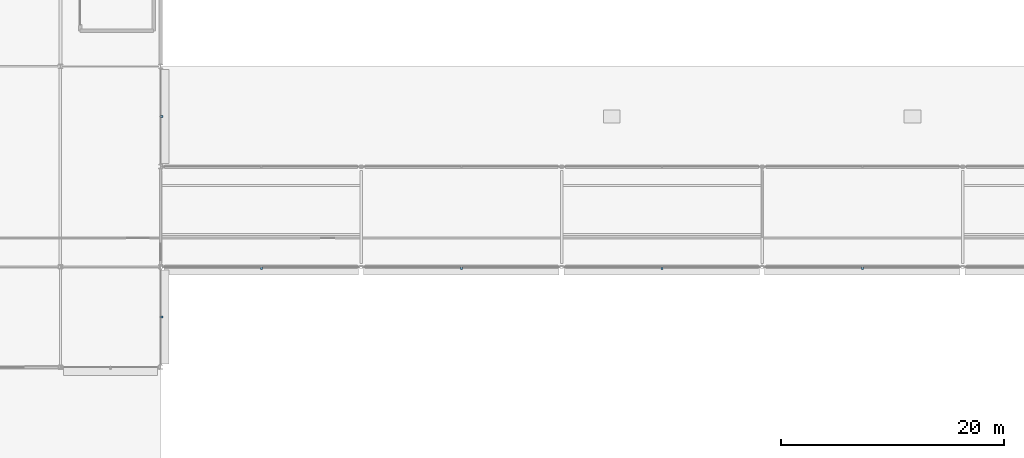
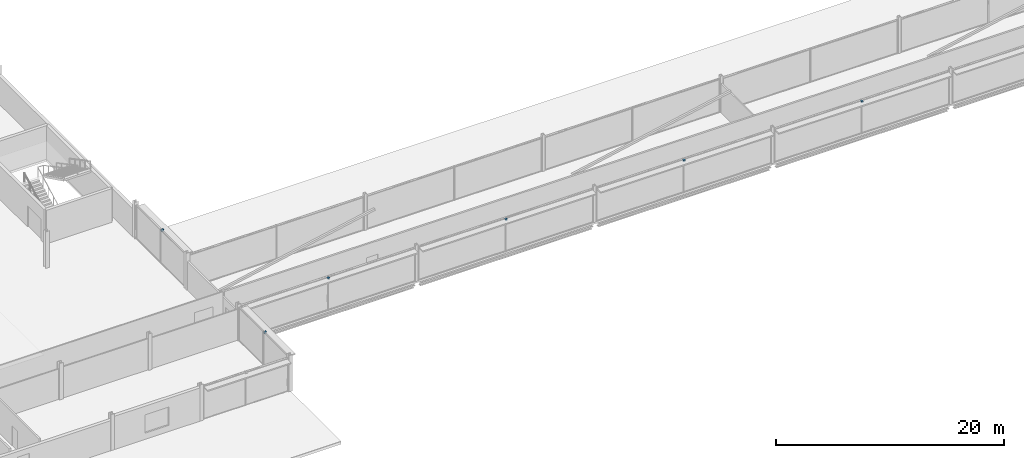
# One storey, part 75 of 105: 6 discrete accessories.
"""IFC4 building model written with IfcOpenShell, lengths in metres."""

from ifc_helpers import new_model, si_unit, direction, frame, origin, origin_2d, place, context, subcontext, project, spatial, rectangle, extrude, material, type_object, element, save


model = new_model("IFC4")

# Units and contexts
model_context = context("Model", 3, precision=1e-05, world=origin(), true_north=direction((0.0, 1.0)))
body_context = subcontext(model_context, "Body", "Model", "MODEL_VIEW")
ifc_project = project(units=[si_unit("LENGTHUNIT", "METRE"), si_unit("AREAUNIT", "SQUARE_METRE"), si_unit("VOLUMEUNIT", "CUBIC_METRE"), si_unit("PLANEANGLEUNIT", "RADIAN"), si_unit("MASSUNIT", "GRAM", prefix="KILO")], contexts=[model_context])

# Site, building, storey
site_placement = place(None, origin())
site = spatial("IfcSite", under=ifc_project, at=site_placement, CompositionType="ELEMENT")
building_placement = place(site_placement, origin())
building = spatial("IfcBuilding", under=site, at=building_placement, Name="Kisiwana Market Hall", CompositionType="ELEMENT")
storey_placement = place(building_placement, frame((0.0, 0.0, 21.60009765625)))
storey = spatial("IfcBuildingStorey", under=building, at=storey_placement, Name="L04", CompositionType="ELEMENT", Elevation=21.60009765625)

# Discrete accessories
ifc_material = material(Name="Steel S355", Category="steel")
discrete_accessory_type = type_object("IfcDiscreteAccessoryType", Name="ACC-BRACKET-STL", PredefinedType="BRACKET", material=ifc_material)
for number, where, z_axis, x_axis, name in (
    (1, (54.03076171875, 17.889892578125, 3.375), (0.0, 0.0, 1.0), (1.0, 0.0, 0.0), "Sunshade steel bracket BRK-054"),
    (2, (72.0, 17.889892578125, 3.375), (0.0, 0.0, 1.0), (1.0, 0.0, 0.0), "Sunshade steel bracket BRK-055"),
    (3, (90.0, 17.889892578125, 3.375), (0.0, 0.0, 1.0), (1.0, 0.0, 0.0), "Sunshade steel bracket BRK-056"),
    (4, (108.0, 17.889892578125, 3.375), (0.0, 0.0, 1.0), (1.0, 0.0, 0.0), "Sunshade steel bracket BRK-057"),
    (5, (45.110107421875, 13.5, 3.375), (0.0, 0.0, 1.0), (0.0, 1.0, 0.0), "Sunshade steel bracket BRK-067"),
    (6, (45.110107421875, 31.5, 3.375), (0.0, 0.0, 1.0), (0.0, 1.0, 0.0), "Sunshade steel bracket BRK-068"),
):
    element("IfcDiscreteAccessory", number, at=place(storey_placement, frame(where, z_axis=z_axis, x_axis=x_axis)), inside=storey, type_object=discrete_accessory_type, Name=name, PredefinedType="BRACKET", context=body_context, shape_type="SweptSolid", body=[
        extrude(rectangle(XDim=0.179931640625, YDim=0.239990234375, at=origin_2d()), origin(), (0.0, 0.0, 1.0), 0.179931640625),
    ])

save(model, "model.ifc")
